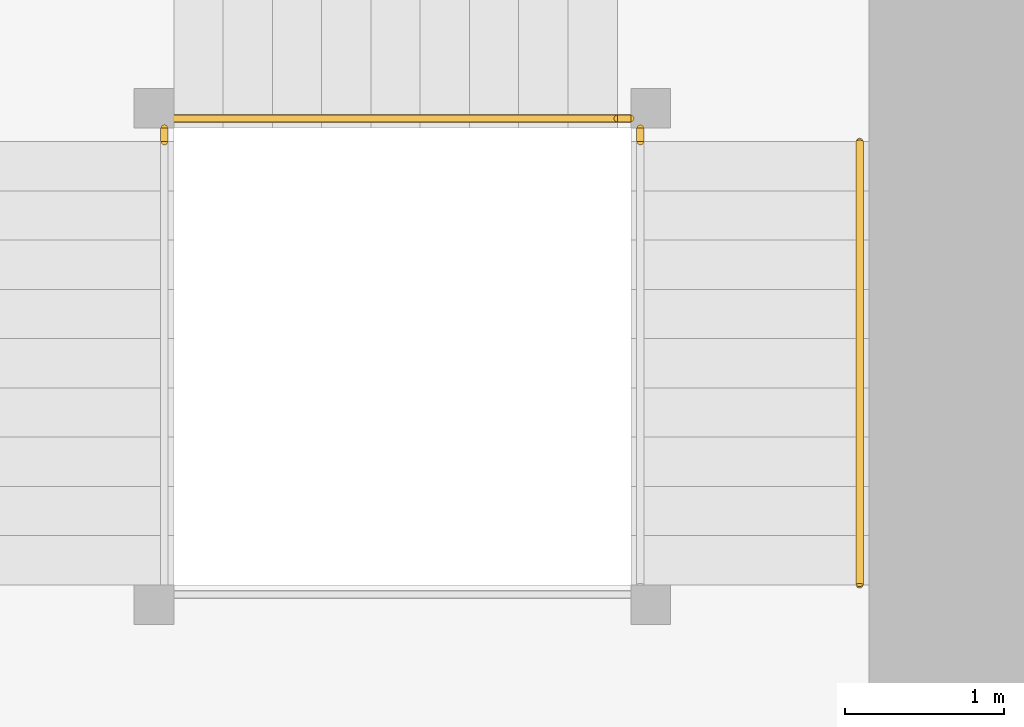
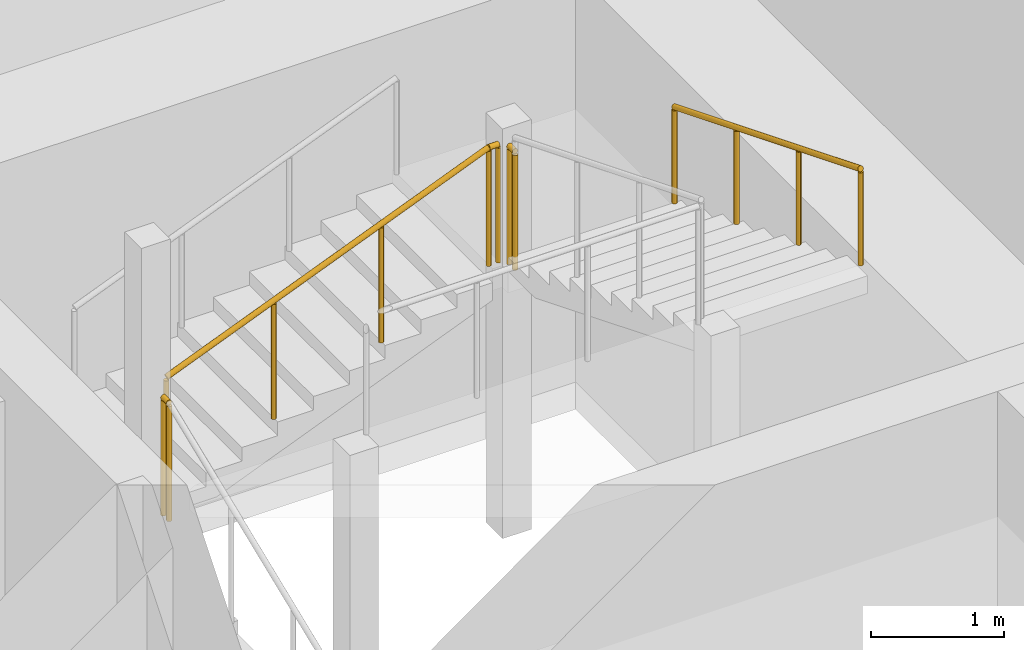
# One storey, part 39 of 40: 5 railings.
"""IFC4 building model written with IfcOpenShell, lengths in metres."""

from ifc_helpers import new_model, si_unit, direction, frame, origin, origin_2d, place, context, subcontext, project, spatial, circle, extrude, material, type_object, element, save


model = new_model("IFC4")

# Units and contexts
model_context = context("Model", 3, precision=1e-05, world=origin(), true_north=direction((0.0, 1.0)))
body_context = subcontext(model_context, "Body", "Model", "MODEL_VIEW")
ifc_project = project(units=[si_unit("LENGTHUNIT", "METRE"), si_unit("AREAUNIT", "SQUARE_METRE"), si_unit("VOLUMEUNIT", "CUBIC_METRE"), si_unit("PLANEANGLEUNIT", "RADIAN"), si_unit("MASSUNIT", "GRAM", prefix="KILO")], contexts=[model_context])

# Site, building, storey
site_placement = place(None, origin())
site = spatial("IfcSite", under=ifc_project, at=site_placement, CompositionType="ELEMENT")
building_placement = place(site_placement, origin())
building = spatial("IfcBuilding", under=site, at=building_placement, Name="Rekha Terrace Tower", CompositionType="ELEMENT")
storey_placement = place(building_placement, frame((0.0, 0.0, 110.300048828125)))
storey = spatial("IfcBuildingStorey", under=building, at=storey_placement, Name="L27", CompositionType="ELEMENT", Elevation=110.300048828125)

# Railings
ifc_material_1 = material(Name="Stainless steel balustrade", Category="steel")
railing_type_1 = type_object("IfcRailingType", Name="GR1 1100 stair guard", PredefinedType="GUARDRAIL", material=ifc_material_1)
railing_1_placement = place(storey_placement, frame((45.52490234375, 44.260009765625, 1.375)))
element("IfcRailing", 1, at=railing_1_placement, inside=storey, type_object=railing_type_1, Name="Guard ST2 L27 flight 2", PredefinedType="GUARDRAIL", context=body_context, shape_type="SweptSolid", body=[
    extrude(circle(Radius=0.02392578125, at=origin_2d()), frame((0.0, 0.0, 1.076171875), z_axis=(0.927443287984, 0.0, 0.373963831907), x_axis=(0.0, 1.0, 0.0)), (0.0, 0.0, 1.0), 3.00830078125),
    extrude(circle(Radius=0.02099609375, at=origin_2d()), origin(), (0.0, 0.0, 1.0), 1.052001953125),
    extrude(circle(Radius=0.02099609375, at=origin_2d()), frame((0.929931640625, 0.0, 0.375)), (0.0, 0.0, 1.0), 1.052001953125),
    extrude(circle(Radius=0.02099609375, at=origin_2d()), frame((1.860107421875, 0.0, 0.75)), (0.0, 0.0, 1.0), 1.052001953125),
    extrude(circle(Radius=0.02099609375, at=origin_2d()), frame((2.7900390625, 0.0, 1.125)), (0.0, 0.0, 1.0), 1.052001953125),
])
railing_2_placement = place(storey_placement, frame((45.465087890625, 44.114990234375, 1.25)))
element("IfcRailing", 2, at=railing_2_placement, inside=storey, type_object=railing_type_1, Name="Guard ST2 L27 landing 1", PredefinedType="GUARDRAIL", context=body_context, shape_type="SweptSolid", body=[
    extrude(circle(Radius=0.02392578125, at=origin_2d()), frame((0.0, 0.0, 1.076171875), z_axis=(0.0, 1.0, 0.0), x_axis=(-1.0, 0.0, 0.0)), (0.0, 0.0, 1.0), 0.0849609375),
    extrude(circle(Radius=0.02099609375, at=origin_2d()), origin(), (0.0, 0.0, 1.0), 1.052001953125),
    extrude(circle(Radius=0.02099609375, at=origin_2d()), frame((0.0, 0.0849609375, 0.0)), (0.0, 0.0, 1.0), 1.052001953125),
])
railing_3_placement = place(storey_placement, frame((48.31494140625, 44.260009765625, 2.5)))
element("IfcRailing", 3, at=railing_3_placement, inside=storey, type_object=railing_type_1, Name="Guard ST2 L27 landing 2", PredefinedType="GUARDRAIL", context=body_context, shape_type="SweptSolid", body=[
    extrude(circle(Radius=0.02392578125, at=origin_2d()), frame((0.0, 0.0, 1.076171875), z_axis=(1.0, 0.0, 0.0), x_axis=(0.0, 1.0, 0.0)), (0.0, 0.0, 1.0), 0.0849609375),
    extrude(circle(Radius=0.02099609375, at=origin_2d()), origin(), (0.0, 0.0, 1.0), 1.052001953125),
    extrude(circle(Radius=0.02099609375, at=origin_2d()), frame((0.0849609375, 0.0, 0.0)), (0.0, 0.0, 1.0), 1.052001953125),
])
railing_4_placement = place(storey_placement, frame((48.4599609375, 44.114990234375, 2.5)))
element("IfcRailing", 4, at=railing_4_placement, inside=storey, type_object=railing_type_1, Name="Guard ST2 L27 landing 3", PredefinedType="GUARDRAIL", context=body_context, shape_type="SweptSolid", body=[
    extrude(circle(Radius=0.02392578125, at=origin_2d()), frame((0.0, 0.0, 1.076171875), z_axis=(0.0, 1.0, 0.0), x_axis=(-1.0, 0.0, 0.0)), (0.0, 0.0, 1.0), 0.0849609375),
    extrude(circle(Radius=0.02099609375, at=origin_2d()), origin(), (0.0, 0.0, 1.0), 1.052001953125),
    extrude(circle(Radius=0.02099609375, at=origin_2d()), frame((0.0, 0.0849609375, 0.0)), (0.0, 0.0, 1.0), 1.052001953125),
])
ifc_material_2 = material(Name="Stainless steel tube", Category="steel")
railing_type_2 = type_object("IfcRailingType", Name="HR1 900 stair handrail", PredefinedType="HANDRAIL", material=ifc_material_2)
railing_5_placement = place(storey_placement, frame((49.840087890625, 44.114990234375, 2.625)))
element("IfcRailing", 5, at=railing_5_placement, inside=storey, type_object=railing_type_2, Name="Handrail ST2 L27 flight 3", PredefinedType="HANDRAIL", context=body_context, shape_type="SweptSolid", body=[
    extrude(circle(Radius=0.02392578125, at=origin_2d()), frame((0.0, 0.0, 0.8759765625), z_axis=(0.0, -0.927443287984, 0.373963831907), x_axis=(1.0, 0.0, 0.0)), (0.0, 0.0, 1.0), 3.00830078125),
    extrude(circle(Radius=0.02099609375, at=origin_2d()), origin(), (0.0, 0.0, 1.0), 0.851806640625),
    extrude(circle(Radius=0.02099609375, at=origin_2d()), frame((0.0, -0.929931640625, 0.375)), (0.0, 0.0, 1.0), 0.851806640625),
    extrude(circle(Radius=0.02099609375, at=origin_2d()), frame((0.0, -1.860107421875, 0.75)), (0.0, 0.0, 1.0), 0.851806640625),
    extrude(circle(Radius=0.02099609375, at=origin_2d()), frame((0.0, -2.7900390625, 1.125)), (0.0, 0.0, 1.0), 0.851806640625),
])

save(model, "model.ifc")
